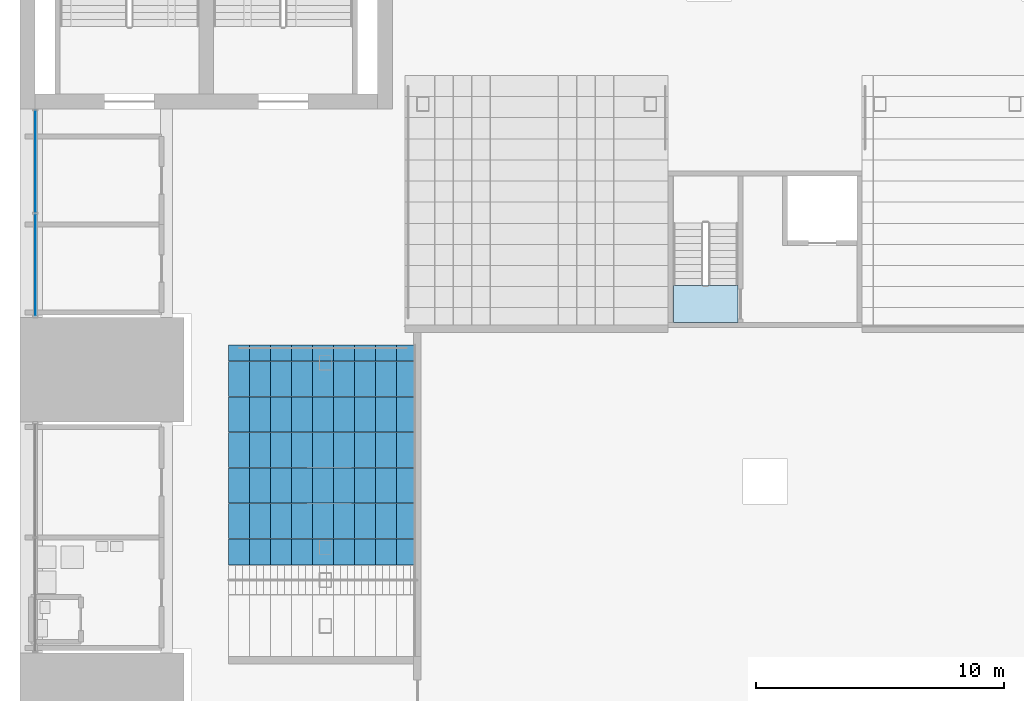
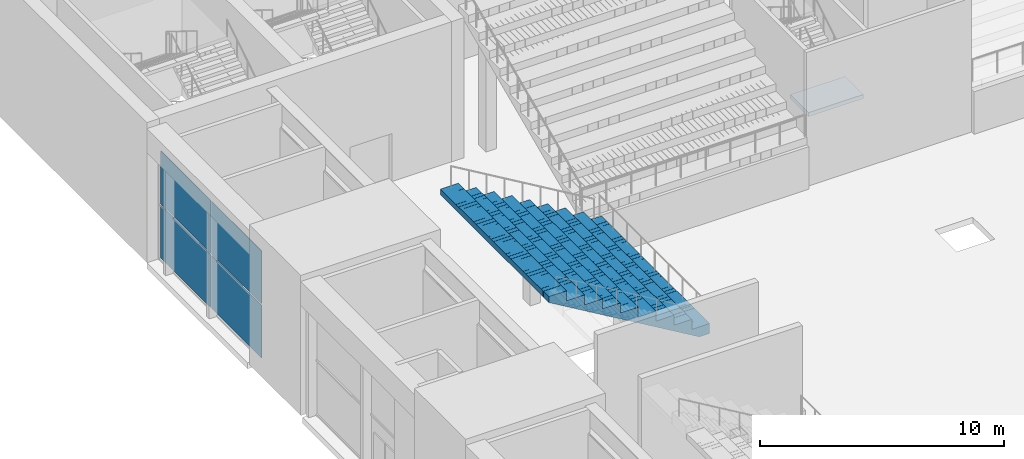
# One storey, part 22 of 62: 4 plates, 2 slabs, 2 elements without a shape of their own.
"""IFC4 building model written with IfcOpenShell, lengths in metres."""

import ifcopenshell
import ifcopenshell.guid

model = None  # the IFC model being written
_history = None  # IfcOwnerHistory: only IFC2X3 demands one
_inside = {}  # id of a spatial element -> (the spatial element, [elements in it])
_under = {}  # id of a project, library or spatial element -> (it, [spatial elements below it])
_declared = {}  # id of a project -> (the project, [libraries it declares])
_typed = {}  # id of a type object -> (the type object, [elements of that type])
_made_of = {}  # id of a material, layer set ... -> (it, [elements and type objects made of it])


def new_model(schema):
    """Start an empty IFC model of exactly this schema.

    Asked for "IFC4X3", IfcOpenShell would pick the latest addendum, in which some entities
    have other attributes; the version numbers below select the first issue.
    IFC2X3 requires an IfcOwnerHistory on every rooted entity: one is made here for all.
    """
    global model, _history
    if schema == "IFC4X3":
        model = ifcopenshell.file(schema_version=(4, 3, 0, 0))
    else:
        model = ifcopenshell.file(schema=schema)
    _inside.clear()
    _under.clear()
    _declared.clear()
    _typed.clear()
    _made_of.clear()
    _history = None
    if model.schema == "IFC2X3":
        org = make("IfcOrganization", Name="unknown")
        user = make(
            "IfcPersonAndOrganization",
            ThePerson=make("IfcPerson", FamilyName="unknown"),
            TheOrganization=org,
        )
        app = make(
            "IfcApplication",
            ApplicationDeveloper=org,
            Version="unknown",
            ApplicationFullName="unknown",
            ApplicationIdentifier="unknown",
        )
        _history = make(
            "IfcOwnerHistory",
            OwningUser=user,
            OwningApplication=app,
            ChangeAction="ADDED",
            CreationDate=0,
        )
    return model


def make(cls, **values):
    """One entity of the class cls with the attributes given. An attribute that is None is left unset."""
    return model.create_entity(
        cls, **{name: value for name, value in values.items() if value is not None}
    )


def rooted(cls, **values):
    """An entity with a GlobalId (a new one), such as an element, a storey or a relation."""
    return make(cls, GlobalId=ifcopenshell.guid.new(), OwnerHistory=_history, **values)


def si_unit(unit_type, name, prefix=None):
    """IfcSIUnit, for example si_unit("LENGTHUNIT", "METRE", prefix="MILLI")."""
    return make("IfcSIUnit", UnitType=unit_type, Prefix=prefix, Name=name)


def assignment(units):
    """IfcUnitAssignment: the units of a project."""
    return None if units is None else make("IfcUnitAssignment", Units=units)


def point(xyz):
    """IfcCartesianPoint."""
    return None if xyz is None else make("IfcCartesianPoint", Coordinates=xyz)


def direction(xyz):
    """IfcDirection."""
    return None if xyz is None else make("IfcDirection", DirectionRatios=xyz)


def frame(location, z_axis=None, x_axis=None):
    """IfcAxis2Placement3D, a coordinate frame: its origin and axes. An axis left out is left unset."""
    return make(
        "IfcAxis2Placement3D",
        Location=point(location),
        Axis=direction(z_axis),
        RefDirection=direction(x_axis),
    )


def frame_2d(location, x_axis=None):
    """IfcAxis2Placement2D, a coordinate frame in the plane: its origin and x axis."""
    return make(
        "IfcAxis2Placement2D", Location=point(location), RefDirection=direction(x_axis)
    )


def origin():
    """The frame at (0, 0, 0) with its axes left unset."""
    return frame((0.0, 0.0, 0.0))


def origin_2d():
    """The frame at (0, 0) in the plane with its x axis left unset."""
    return frame_2d((0.0, 0.0))


def place(relative_to, where):
    """IfcLocalPlacement: puts the frame where relative to a parent placement (None: the world)."""
    return make(
        "IfcLocalPlacement", PlacementRelTo=relative_to, RelativePlacement=where
    )


def context(
    kind, dimensions, precision=None, world=None, true_north=None, identifier=None
):
    """IfcGeometricRepresentationContext, for example the 3D "Model" context."""
    return make(
        "IfcGeometricRepresentationContext",
        ContextIdentifier=identifier,
        ContextType=kind,
        CoordinateSpaceDimension=dimensions,
        Precision=precision,
        WorldCoordinateSystem=world,
        TrueNorth=true_north,
    )


def subcontext(parent, identifier, kind, view, scale=None):
    """IfcGeometricRepresentationSubContext, for example "Body" below "Model"."""
    return make(
        "IfcGeometricRepresentationSubContext",
        ContextIdentifier=identifier,
        ContextType=kind,
        ParentContext=parent,
        TargetScale=scale,
        TargetView=view,
    )


def project(units=None, contexts=None):
    """IfcProject with its units and contexts."""
    return rooted(
        "IfcProject",
        Name="project",
        RepresentationContexts=contexts,
        UnitsInContext=assignment(units),
    )


def spatial(cls, under=None, at=None, **own):
    """A site, building, storey or space (cls), placed at a placement, below another one or the project."""
    s = rooted(cls, ObjectPlacement=at, **own)
    if under is not None:
        _under.setdefault(under.id(), (under, []))[1].append(s)
    return s


def polyline(points):
    """IfcPolyline through the points."""
    return make("IfcPolyline", Points=[point(p) for p in points])


def profile(cls, at=None, kind="AREA", **sizes):
    """A parametric profile (cls). Its sizes go by their IFC names, for example OverallWidth=200.0."""
    return make(cls, ProfileType=kind, Position=at, **sizes)


def rectangle(**sizes):
    """IfcRectangleProfileDef."""
    return profile("IfcRectangleProfileDef", **sizes)


def outline(outer, holes=None, kind="AREA"):
    """IfcArbitraryClosedProfileDef: a profile drawn as a closed curve; with holes, ...WithVoids."""
    if holes is None:
        return make("IfcArbitraryClosedProfileDef", ProfileType=kind, OuterCurve=outer)
    return make(
        "IfcArbitraryProfileDefWithVoids",
        ProfileType=kind,
        OuterCurve=outer,
        InnerCurves=holes,
    )


def extrude(swept, where, along, depth):
    """IfcExtrudedAreaSolid: the profile swept, set in the frame where, extruded along a direction by depth."""
    return make(
        "IfcExtrudedAreaSolid",
        SweptArea=swept,
        Position=where,
        ExtrudedDirection=direction(along),
        Depth=depth,
    )


def shape(context_of_items, identifier, shape_type, items):
    """IfcShapeRepresentation: the items that make up one representation, for example the "Body"."""
    return make(
        "IfcShapeRepresentation",
        ContextOfItems=context_of_items,
        RepresentationIdentifier=identifier,
        RepresentationType=shape_type,
        Items=items,
    )


def material(Name=None, Category=None):
    """IfcMaterial."""
    return make("IfcMaterial", Name=Name, Category=Category)


def layer(
    of_material, thickness, ventilated=None, Name=None, Category=None, Priority=None
):
    """IfcMaterialLayer: one layer of a wall or slab, of a material (None: an air gap)."""
    return make(
        "IfcMaterialLayer",
        Material=of_material,
        LayerThickness=thickness,
        IsVentilated=ventilated,
        Name=Name,
        Category=Category,
        Priority=Priority,
    )


def layer_set(layers, Name=None):
    """IfcMaterialLayerSet."""
    return make("IfcMaterialLayerSet", MaterialLayers=layers, LayerSetName=Name)


def made_of(thing, what):
    """Note that an element or type object is made of a material, layer set ...; save() writes the relation."""
    if what is not None:
        _made_of.setdefault(what.id(), (what, []))[1].append(thing)
    return thing


def type_object(cls, material=None, **own):
    """A type object (cls), such as IfcWallType, which elements share."""
    return made_of(rooted(cls, **own), material)


def element(
    cls,
    number,
    at=None,
    inside=None,
    cuts=None,
    type_object=None,
    material=None,
    context=None,
    identifier="Body",
    shape_type=None,
    held_by="IfcProductDefinitionShape",
    body=None,
    shapes=None,
    **own,
):
    """One element of the class cls, such as IfcWall. Its Tag is "e" and its number.

    at: its placement. inside: the storey or other place that contains it. cuts: it is an
    opening in that element (IfcRelVoidsElement). A single representation is given by context,
    identifier, shape_type and body (its items); several are given by shapes. held_by: the class
    of the entity that holds the representations. save() writes the other relations.
    """
    e = rooted(cls, Tag="e%d" % number, ObjectPlacement=at, **own)
    if body is not None:
        shapes = [shape(context, identifier, shape_type, body)]
    if shapes is not None:
        e.Representation = make(held_by, Representations=shapes)
    if inside is not None:
        _inside.setdefault(inside.id(), (inside, []))[1].append(e)
    if cuts is not None:
        rooted(
            "IfcRelVoidsElement", RelatingBuildingElement=cuts, RelatedOpeningElement=e
        )
    if type_object is not None:
        _typed.setdefault(type_object.id(), (type_object, []))[1].append(e)
    return made_of(e, material)


def aggregate(whole, parts):
    """IfcRelAggregates: a whole, such as a stair, and the parts it consists of."""
    return rooted("IfcRelAggregates", RelatingObject=whole, RelatedObjects=parts)


def save(model, path):
    """Write the relations noted so far, then the file.

    IfcRelAggregates (storeys below a building ...), IfcRelContainedInSpatialStructure (elements
    in a storey), IfcRelDefinesByType, IfcRelAssociatesMaterial and IfcRelDeclares: one each for
    every whole, place, type object, material and project.
    """
    for whole, parts in _under.values():
        aggregate(whole, parts)
    for where, things in _inside.values():
        rooted(
            "IfcRelContainedInSpatialStructure",
            RelatedElements=things,
            RelatingStructure=where,
        )
    for kind, things in _typed.values():
        rooted("IfcRelDefinesByType", RelatedObjects=things, RelatingType=kind)
    for what, things in _made_of.values():
        rooted("IfcRelAssociatesMaterial", RelatedObjects=things, RelatingMaterial=what)
    for by, libraries in _declared.values():
        rooted("IfcRelDeclares", RelatingContext=by, RelatedDefinitions=libraries)
    model.write(path)


model = new_model("IFC4")

# Units and contexts
model_context = context("Model", 3, precision=1e-05, world=origin(), true_north=direction((0.0, 1.0)))
body_context = subcontext(model_context, "Body", "Model", "MODEL_VIEW")
ifc_project = project(units=[si_unit("LENGTHUNIT", "METRE"), si_unit("AREAUNIT", "SQUARE_METRE"), si_unit("VOLUMEUNIT", "CUBIC_METRE"), si_unit("PLANEANGLEUNIT", "RADIAN"), si_unit("MASSUNIT", "GRAM", prefix="KILO")], contexts=[model_context])

# Site, building, storey
site_placement = place(None, origin())
site = spatial("IfcSite", under=ifc_project, at=site_placement, CompositionType="ELEMENT")
building_placement = place(site_placement, origin())
building = spatial("IfcBuilding", under=site, at=building_placement, Name="Corbelhall Arena Tower", CompositionType="ELEMENT")
storey_placement = place(building_placement, frame((0.0, 0.0, 12.0)))
storey = spatial("IfcBuildingStorey", under=building, at=storey_placement, Name="L01", CompositionType="ELEMENT", Elevation=12.0)

# Slab
ifc_material_1 = material(Name="Precast concrete C40/50", Category="concrete")
ifc_layer_1 = layer(ifc_material_1, 0.25)
ifc_layer_set_1 = layer_set([ifc_layer_1], Name="AR-TIER-RAKED")
slab_type_1 = type_object("IfcSlabType", Name="AR-TIER-RAKED", PredefinedType="FLOOR", material=ifc_layer_set_1)
slab_1_placement = place(storey_placement, frame((-32.0, 10.066650390625, 2.0), z_axis=(0.0, 0.0, 1.0), x_axis=(-1.0, 0.0, 0.0)))
element("IfcSlab", 1, at=slab_1_placement, inside=storey, type_object=slab_type_1, Name="Tier section LWA", PredefinedType="FLOOR", context=body_context, shape_type="SweptSolid", body=[
    extrude(outline(polyline([(0.0, 0.0), (0.0, 0.5), (0.844970703125, 0.5), (0.844970703125, 1.0), (1.68994140625, 1.0), (1.68994140625, 1.5), (2.534912109375, 1.5), (2.534912109375, 2.0), (3.3798828125, 2.0), (3.3798828125, 2.5), (4.22509765625, 2.5), (4.22509765625, 3.0), (5.070068359375, 3.0), (5.070068359375, 3.5), (5.9150390625, 3.5), (5.9150390625, 4.0), (6.760009765625, 4.0), (6.760009765625, 4.5), (7.60498046875, 4.5), (7.60498046875, 5.0), (7.60498046875, 4.20947265625), (0.490966796875, 0.0), (0.0, 0.0)])), frame((0.0, 4.433349609375, 0.0), z_axis=(0.0, -1.0, 0.0), x_axis=(1.0, 0.0, 0.0)), (0.0, 0.0, 1.0), 0.449951171875),
    extrude(outline(polyline([(0.0, 0.0), (0.0, 0.5), (0.844970703125, 0.5), (0.844970703125, 1.0), (1.68994140625, 1.0), (1.68994140625, 1.5), (2.534912109375, 1.5), (2.534912109375, 2.0), (3.3798828125, 2.0), (3.3798828125, 2.5), (4.22509765625, 2.5), (4.22509765625, 3.0), (5.070068359375, 3.0), (5.070068359375, 3.5), (5.9150390625, 3.5), (5.9150390625, 4.0), (6.760009765625, 4.0), (6.760009765625, 4.5), (7.60498046875, 4.5), (7.60498046875, 5.0), (7.60498046875, 4.20947265625), (0.490966796875, 0.0), (0.0, 0.0)])), frame((0.0, 3.979248046875, 0.0), z_axis=(0.0, -1.0, 0.0), x_axis=(1.0, 0.0, 0.0)), (0.0, 0.0, 1.0), 0.2001953125),
    extrude(outline(polyline([(0.0, 0.0), (0.0, 0.5), (0.844970703125, 0.5), (0.844970703125, 1.0), (1.68994140625, 1.0), (1.68994140625, 1.5), (2.534912109375, 1.5), (2.534912109375, 2.0), (3.3798828125, 2.0), (3.3798828125, 2.5), (4.22509765625, 2.5), (4.22509765625, 3.0), (5.070068359375, 3.0), (5.070068359375, 3.5), (5.9150390625, 3.5), (5.9150390625, 4.0), (6.760009765625, 4.0), (6.760009765625, 4.5), (7.60498046875, 4.5), (7.60498046875, 5.0), (7.60498046875, 4.20947265625), (0.490966796875, 0.0), (0.0, 0.0)])), frame((0.0, 3.775146484375, 0.0), z_axis=(0.0, -1.0, 0.0), x_axis=(1.0, 0.0, 0.0)), (0.0, 0.0, 1.0), 0.2001953125),
    extrude(outline(polyline([(0.0, 0.0), (0.0, 0.5), (0.844970703125, 0.5), (0.844970703125, 1.0), (1.68994140625, 1.0), (1.68994140625, 1.5), (2.534912109375, 1.5), (2.534912109375, 2.0), (3.3798828125, 2.0), (3.3798828125, 2.5), (4.22509765625, 2.5), (4.22509765625, 3.0), (5.070068359375, 3.0), (5.070068359375, 3.5), (5.9150390625, 3.5), (5.9150390625, 4.0), (6.760009765625, 4.0), (6.760009765625, 4.5), (7.60498046875, 4.5), (7.60498046875, 5.0), (7.60498046875, 4.20947265625), (0.490966796875, 0.0), (0.0, 0.0)])), frame((0.0, 3.571044921875, 0.0), z_axis=(0.0, -1.0, 0.0), x_axis=(1.0, 0.0, 0.0)), (0.0, 0.0, 1.0), 0.2001953125),
    extrude(outline(polyline([(0.0, 0.0), (0.0, 0.5), (0.844970703125, 0.5), (0.844970703125, 1.0), (1.68994140625, 1.0), (1.68994140625, 1.5), (2.534912109375, 1.5), (2.534912109375, 2.0), (3.3798828125, 2.0), (3.3798828125, 2.5), (4.22509765625, 2.5), (4.22509765625, 3.0), (5.070068359375, 3.0), (5.070068359375, 3.5), (5.9150390625, 3.5), (5.9150390625, 4.0), (6.760009765625, 4.0), (6.760009765625, 4.5), (7.60498046875, 4.5), (7.60498046875, 5.0), (7.60498046875, 4.20947265625), (0.490966796875, 0.0), (0.0, 0.0)])), frame((0.0, 3.366943359375, 0.0), z_axis=(0.0, -1.0, 0.0), x_axis=(1.0, 0.0, 0.0)), (0.0, 0.0, 1.0), 0.2001953125),
    extrude(outline(polyline([(0.0, 0.0), (0.0, 0.5), (0.844970703125, 0.5), (0.844970703125, 1.0), (1.68994140625, 1.0), (1.68994140625, 1.5), (2.534912109375, 1.5), (2.534912109375, 2.0), (3.3798828125, 2.0), (3.3798828125, 2.5), (4.22509765625, 2.5), (4.22509765625, 3.0), (5.070068359375, 3.0), (5.070068359375, 3.5), (5.9150390625, 3.5), (5.9150390625, 4.0), (6.760009765625, 4.0), (6.760009765625, 4.5), (7.60498046875, 4.5), (7.60498046875, 5.0), (7.60498046875, 4.20947265625), (0.490966796875, 0.0), (0.0, 0.0)])), frame((0.0, 3.16259765625, 0.0), z_axis=(0.0, -1.0, 0.0), x_axis=(1.0, 0.0, 0.0)), (0.0, 0.0, 1.0), 0.2001953125),
    extrude(outline(polyline([(0.0, 0.0), (0.0, 0.5), (0.844970703125, 0.5), (0.844970703125, 1.0), (1.68994140625, 1.0), (1.68994140625, 1.5), (2.534912109375, 1.5), (2.534912109375, 2.0), (3.3798828125, 2.0), (3.3798828125, 2.5), (4.22509765625, 2.5), (4.22509765625, 3.0), (5.070068359375, 3.0), (5.070068359375, 3.5), (5.9150390625, 3.5), (5.9150390625, 4.0), (6.760009765625, 4.0), (6.760009765625, 4.5), (7.60498046875, 4.5), (7.60498046875, 5.0), (7.60498046875, 4.20947265625), (0.490966796875, 0.0), (0.0, 0.0)])), frame((0.0, 2.95849609375, 0.0), z_axis=(0.0, -1.0, 0.0), x_axis=(1.0, 0.0, 0.0)), (0.0, 0.0, 1.0), 0.2001953125),
    extrude(outline(polyline([(0.0, 0.0), (0.0, 0.5), (0.844970703125, 0.5), (0.844970703125, 1.0), (1.68994140625, 1.0), (1.68994140625, 1.5), (2.534912109375, 1.5), (2.534912109375, 2.0), (3.3798828125, 2.0), (3.3798828125, 2.5), (4.22509765625, 2.5), (4.22509765625, 3.0), (5.070068359375, 3.0), (5.070068359375, 3.5), (5.9150390625, 3.5), (5.9150390625, 4.0), (6.760009765625, 4.0), (6.760009765625, 4.5), (7.60498046875, 4.5), (7.60498046875, 5.0), (7.60498046875, 4.20947265625), (0.490966796875, 0.0), (0.0, 0.0)])), frame((0.0, 2.75439453125, 0.0), z_axis=(0.0, -1.0, 0.0), x_axis=(1.0, 0.0, 0.0)), (0.0, 0.0, 1.0), 0.2001953125),
    extrude(outline(polyline([(0.0, 0.0), (0.0, 0.5), (0.844970703125, 0.5), (0.844970703125, 1.0), (1.68994140625, 1.0), (1.68994140625, 1.5), (2.534912109375, 1.5), (2.534912109375, 2.0), (3.3798828125, 2.0), (3.3798828125, 2.5), (4.22509765625, 2.5), (4.22509765625, 3.0), (5.070068359375, 3.0), (5.070068359375, 3.5), (5.9150390625, 3.5), (5.9150390625, 4.0), (6.760009765625, 4.0), (6.760009765625, 4.5), (7.60498046875, 4.5), (7.60498046875, 5.0), (7.60498046875, 4.20947265625), (0.490966796875, 0.0), (0.0, 0.0)])), frame((0.0, 2.550048828125, 0.0), z_axis=(0.0, -1.0, 0.0), x_axis=(1.0, 0.0, 0.0)), (0.0, 0.0, 1.0), 0.2001953125),
    extrude(outline(polyline([(0.0, 0.0), (0.0, 0.5), (0.844970703125, 0.5), (0.844970703125, 1.0), (1.68994140625, 1.0), (1.68994140625, 1.5), (2.534912109375, 1.5), (2.534912109375, 2.0), (3.3798828125, 2.0), (3.3798828125, 2.5), (4.22509765625, 2.5), (4.22509765625, 3.0), (5.070068359375, 3.0), (5.070068359375, 3.5), (5.9150390625, 3.5), (5.9150390625, 4.0), (6.760009765625, 4.0), (6.760009765625, 4.5), (7.60498046875, 4.5), (7.60498046875, 5.0), (7.60498046875, 4.20947265625), (0.490966796875, 0.0), (0.0, 0.0)])), frame((0.0, 2.345947265625, 0.0), z_axis=(0.0, -1.0, 0.0), x_axis=(1.0, 0.0, 0.0)), (0.0, 0.0, 1.0), 0.2001953125),
    extrude(outline(polyline([(0.0, 0.0), (0.0, 0.5), (0.844970703125, 0.5), (0.844970703125, 1.0), (1.68994140625, 1.0), (1.68994140625, 1.5), (2.534912109375, 1.5), (2.534912109375, 2.0), (3.3798828125, 2.0), (3.3798828125, 2.5), (4.22509765625, 2.5), (4.22509765625, 3.0), (5.070068359375, 3.0), (5.070068359375, 3.5), (5.9150390625, 3.5), (5.9150390625, 4.0), (6.760009765625, 4.0), (6.760009765625, 4.5), (7.60498046875, 4.5), (7.60498046875, 5.0), (7.60498046875, 4.20947265625), (0.490966796875, 0.0), (0.0, 0.0)])), frame((0.0, 2.141845703125, 0.0), z_axis=(0.0, -1.0, 0.0), x_axis=(1.0, 0.0, 0.0)), (0.0, 0.0, 1.0), 0.2001953125),
    extrude(outline(polyline([(0.0, 0.0), (0.0, 0.5), (0.844970703125, 0.5), (0.844970703125, 1.0), (1.68994140625, 1.0), (1.68994140625, 1.5), (2.534912109375, 1.5), (2.534912109375, 2.0), (3.3798828125, 2.0), (3.3798828125, 2.5), (4.22509765625, 2.5), (4.22509765625, 3.0), (5.070068359375, 3.0), (5.070068359375, 3.5), (5.9150390625, 3.5), (5.9150390625, 4.0), (6.760009765625, 4.0), (6.760009765625, 4.5), (7.60498046875, 4.5), (7.60498046875, 5.0), (7.60498046875, 4.20947265625), (0.490966796875, 0.0), (0.0, 0.0)])), frame((0.0, 1.937744140625, 0.0), z_axis=(0.0, -1.0, 0.0), x_axis=(1.0, 0.0, 0.0)), (0.0, 0.0, 1.0), 0.2001953125),
    extrude(outline(polyline([(0.0, 0.0), (0.0, 0.5), (0.844970703125, 0.5), (0.844970703125, 1.0), (1.68994140625, 1.0), (1.68994140625, 1.5), (2.534912109375, 1.5), (2.534912109375, 2.0), (3.3798828125, 2.0), (3.3798828125, 2.5), (4.22509765625, 2.5), (4.22509765625, 3.0), (5.070068359375, 3.0), (5.070068359375, 3.5), (5.9150390625, 3.5), (5.9150390625, 4.0), (6.760009765625, 4.0), (6.760009765625, 4.5), (7.60498046875, 4.5), (7.60498046875, 5.0), (7.60498046875, 4.20947265625), (0.490966796875, 0.0), (0.0, 0.0)])), frame((0.0, 1.7333984375, 0.0), z_axis=(0.0, -1.0, 0.0), x_axis=(1.0, 0.0, 0.0)), (0.0, 0.0, 1.0), 0.2001953125),
    extrude(outline(polyline([(0.0, 0.0), (0.0, 0.5), (0.844970703125, 0.5), (0.844970703125, 1.0), (1.68994140625, 1.0), (1.68994140625, 1.5), (2.534912109375, 1.5), (2.534912109375, 2.0), (3.3798828125, 2.0), (3.3798828125, 2.5), (4.22509765625, 2.5), (4.22509765625, 3.0), (5.070068359375, 3.0), (5.070068359375, 3.5), (5.9150390625, 3.5), (5.9150390625, 4.0), (6.760009765625, 4.0), (6.760009765625, 4.5), (7.60498046875, 4.5), (7.60498046875, 5.0), (7.60498046875, 4.20947265625), (0.490966796875, 0.0), (0.0, 0.0)])), frame((0.0, 1.529296875, 0.0), z_axis=(0.0, -1.0, 0.0), x_axis=(1.0, 0.0, 0.0)), (0.0, 0.0, 1.0), 0.2001953125),
    extrude(outline(polyline([(0.0, 0.0), (0.0, 0.5), (0.844970703125, 0.5), (0.844970703125, 1.0), (1.68994140625, 1.0), (1.68994140625, 1.5), (2.534912109375, 1.5), (2.534912109375, 2.0), (3.3798828125, 2.0), (3.3798828125, 2.5), (4.22509765625, 2.5), (4.22509765625, 3.0), (5.070068359375, 3.0), (5.070068359375, 3.5), (5.9150390625, 3.5), (5.9150390625, 4.0), (6.760009765625, 4.0), (6.760009765625, 4.5), (7.60498046875, 4.5), (7.60498046875, 5.0), (7.60498046875, 4.20947265625), (0.490966796875, 0.0), (0.0, 0.0)])), frame((0.0, 1.3251953125, 0.0), z_axis=(0.0, -1.0, 0.0), x_axis=(1.0, 0.0, 0.0)), (0.0, 0.0, 1.0), 0.2001953125),
    extrude(outline(polyline([(0.0, 0.0), (0.0, 0.5), (0.844970703125, 0.5), (0.844970703125, 1.0), (1.68994140625, 1.0), (1.68994140625, 1.5), (2.534912109375, 1.5), (2.534912109375, 2.0), (3.3798828125, 2.0), (3.3798828125, 2.5), (4.22509765625, 2.5), (4.22509765625, 3.0), (5.070068359375, 3.0), (5.070068359375, 3.5), (5.9150390625, 3.5), (5.9150390625, 4.0), (6.760009765625, 4.0), (6.760009765625, 4.5), (7.60498046875, 4.5), (7.60498046875, 5.0), (7.60498046875, 4.20947265625), (0.490966796875, 0.0), (0.0, 0.0)])), frame((0.0, 1.120849609375, 0.0), z_axis=(0.0, -1.0, 0.0), x_axis=(1.0, 0.0, 0.0)), (0.0, 0.0, 1.0), 0.2001953125),
    extrude(outline(polyline([(0.0, 0.0), (0.0, 0.5), (0.844970703125, 0.5), (0.844970703125, 1.0), (1.68994140625, 1.0), (1.68994140625, 1.5), (2.534912109375, 1.5), (2.534912109375, 2.0), (3.3798828125, 2.0), (3.3798828125, 2.5), (4.22509765625, 2.5), (4.22509765625, 3.0), (5.070068359375, 3.0), (5.070068359375, 3.5), (5.9150390625, 3.5), (5.9150390625, 4.0), (6.760009765625, 4.0), (6.760009765625, 4.5), (7.60498046875, 4.5), (7.60498046875, 5.0), (7.60498046875, 4.20947265625), (0.490966796875, 0.0), (0.0, 0.0)])), frame((0.0, 0.916748046875, 0.0), z_axis=(0.0, -1.0, 0.0), x_axis=(1.0, 0.0, 0.0)), (0.0, 0.0, 1.0), 0.2001953125),
    extrude(outline(polyline([(0.0, 0.0), (0.0, 0.5), (0.844970703125, 0.5), (0.844970703125, 1.0), (1.68994140625, 1.0), (1.68994140625, 1.5), (2.534912109375, 1.5), (2.534912109375, 2.0), (3.3798828125, 2.0), (3.3798828125, 2.5), (4.22509765625, 2.5), (4.22509765625, 3.0), (5.070068359375, 3.0), (5.070068359375, 3.5), (5.9150390625, 3.5), (5.9150390625, 4.0), (6.760009765625, 4.0), (6.760009765625, 4.5), (7.60498046875, 4.5), (7.60498046875, 5.0), (7.60498046875, 4.20947265625), (0.490966796875, 0.0), (0.0, 0.0)])), frame((0.0, 0.712646484375, 0.0), z_axis=(0.0, -1.0, 0.0), x_axis=(1.0, 0.0, 0.0)), (0.0, 0.0, 1.0), 0.2001953125),
    extrude(outline(polyline([(0.0, 0.0), (0.0, 0.5), (0.844970703125, 0.5), (0.844970703125, 1.0), (1.68994140625, 1.0), (1.68994140625, 1.5), (2.534912109375, 1.5), (2.534912109375, 2.0), (3.3798828125, 2.0), (3.3798828125, 2.5), (4.22509765625, 2.5), (4.22509765625, 3.0), (5.070068359375, 3.0), (5.070068359375, 3.5), (5.9150390625, 3.5), (5.9150390625, 4.0), (6.760009765625, 4.0), (6.760009765625, 4.5), (7.60498046875, 4.5), (7.60498046875, 5.0), (7.60498046875, 4.20947265625), (0.490966796875, 0.0), (0.0, 0.0)])), frame((0.0, 0.508544921875, 0.0), z_axis=(0.0, -1.0, 0.0), x_axis=(1.0, 0.0, 0.0)), (0.0, 0.0, 1.0), 0.2001953125),
    extrude(outline(polyline([(0.0, 0.0), (0.0, 0.5), (0.844970703125, 0.5), (0.844970703125, 1.0), (1.68994140625, 1.0), (1.68994140625, 1.5), (2.534912109375, 1.5), (2.534912109375, 2.0), (3.3798828125, 2.0), (3.3798828125, 2.5), (4.22509765625, 2.5), (4.22509765625, 3.0), (5.070068359375, 3.0), (5.070068359375, 3.5), (5.9150390625, 3.5), (5.9150390625, 4.0), (6.760009765625, 4.0), (6.760009765625, 4.5), (7.60498046875, 4.5), (7.60498046875, 5.0), (7.60498046875, 4.20947265625), (0.490966796875, 0.0), (0.0, 0.0)])), frame((0.0, 0.30419921875, 0.0), z_axis=(0.0, -1.0, 0.0), x_axis=(1.0, 0.0, 0.0)), (0.0, 0.0, 1.0), 0.2001953125),
    extrude(outline(polyline([(0.0, 0.0), (0.0, 0.5), (0.844970703125, 0.5), (0.844970703125, 1.0), (1.68994140625, 1.0), (1.68994140625, 1.5), (2.534912109375, 1.5), (2.534912109375, 2.0), (3.3798828125, 2.0), (3.3798828125, 2.5), (4.22509765625, 2.5), (4.22509765625, 3.0), (5.070068359375, 3.0), (5.070068359375, 3.5), (5.9150390625, 3.5), (5.9150390625, 4.0), (6.760009765625, 4.0), (6.760009765625, 4.5), (7.60498046875, 4.5), (7.60498046875, 5.0), (7.60498046875, 4.20947265625), (0.490966796875, 0.0), (0.0, 0.0)])), frame((0.0, 0.10009765625, 0.0), z_axis=(0.0, -1.0, 0.0), x_axis=(1.0, 0.0, 0.0)), (0.0, 0.0, 1.0), 0.2001953125),
    extrude(outline(polyline([(0.0, 0.0), (0.0, 0.5), (0.844970703125, 0.5), (0.844970703125, 1.0), (1.68994140625, 1.0), (1.68994140625, 1.5), (2.534912109375, 1.5), (2.534912109375, 2.0), (3.3798828125, 2.0), (3.3798828125, 2.5), (4.22509765625, 2.5), (4.22509765625, 3.0), (5.070068359375, 3.0), (5.070068359375, 3.5), (5.9150390625, 3.5), (5.9150390625, 4.0), (6.760009765625, 4.0), (6.760009765625, 4.5), (7.60498046875, 4.5), (7.60498046875, 5.0), (7.60498046875, 4.20947265625), (0.490966796875, 0.0), (0.0, 0.0)])), frame((0.0, -0.10400390625, 0.0), z_axis=(0.0, -1.0, 0.0), x_axis=(1.0, 0.0, 0.0)), (0.0, 0.0, 1.0), 0.2001953125),
    extrude(outline(polyline([(0.0, 0.0), (0.0, 0.5), (0.844970703125, 0.5), (0.844970703125, 1.0), (1.68994140625, 1.0), (1.68994140625, 1.5), (2.534912109375, 1.5), (2.534912109375, 2.0), (3.3798828125, 2.0), (3.3798828125, 2.5), (4.22509765625, 2.5), (4.22509765625, 3.0), (5.070068359375, 3.0), (5.070068359375, 3.5), (5.9150390625, 3.5), (5.9150390625, 4.0), (6.760009765625, 4.0), (6.760009765625, 4.5), (7.60498046875, 4.5), (7.60498046875, 5.0), (7.60498046875, 4.20947265625), (0.490966796875, 0.0), (0.0, 0.0)])), frame((0.0, -0.308349609375, 0.0), z_axis=(0.0, -1.0, 0.0), x_axis=(1.0, 0.0, 0.0)), (0.0, 0.0, 1.0), 0.2001953125),
    extrude(outline(polyline([(0.0, 0.0), (0.0, 0.5), (0.844970703125, 0.5), (0.844970703125, 1.0), (1.68994140625, 1.0), (1.68994140625, 1.5), (2.534912109375, 1.5), (2.534912109375, 2.0), (3.3798828125, 2.0), (3.3798828125, 2.5), (4.22509765625, 2.5), (4.22509765625, 3.0), (5.070068359375, 3.0), (5.070068359375, 3.5), (5.9150390625, 3.5), (5.9150390625, 4.0), (6.760009765625, 4.0), (6.760009765625, 4.5), (7.60498046875, 4.5), (7.60498046875, 5.0), (7.60498046875, 4.20947265625), (0.490966796875, 0.0), (0.0, 0.0)])), frame((0.0, -0.512451171875, 0.0), z_axis=(0.0, -1.0, 0.0), x_axis=(1.0, 0.0, 0.0)), (0.0, 0.0, 1.0), 0.2001953125),
    extrude(outline(polyline([(0.0, 0.0), (0.0, 0.5), (0.844970703125, 0.5), (0.844970703125, 1.0), (1.68994140625, 1.0), (1.68994140625, 1.5), (2.534912109375, 1.5), (2.534912109375, 2.0), (3.3798828125, 2.0), (3.3798828125, 2.5), (4.22509765625, 2.5), (4.22509765625, 3.0), (5.070068359375, 3.0), (5.070068359375, 3.5), (5.9150390625, 3.5), (5.9150390625, 4.0), (6.760009765625, 4.0), (6.760009765625, 4.5), (7.60498046875, 4.5), (7.60498046875, 5.0), (7.60498046875, 4.20947265625), (0.490966796875, 0.0), (0.0, 0.0)])), frame((0.0, -0.716552734375, 0.0), z_axis=(0.0, -1.0, 0.0), x_axis=(1.0, 0.0, 0.0)), (0.0, 0.0, 1.0), 0.2001953125),
    extrude(outline(polyline([(0.0, 0.0), (0.0, 0.5), (0.844970703125, 0.5), (0.844970703125, 1.0), (1.68994140625, 1.0), (1.68994140625, 1.5), (2.534912109375, 1.5), (2.534912109375, 2.0), (3.3798828125, 2.0), (3.3798828125, 2.5), (4.22509765625, 2.5), (4.22509765625, 3.0), (5.070068359375, 3.0), (5.070068359375, 3.5), (5.9150390625, 3.5), (5.9150390625, 4.0), (6.760009765625, 4.0), (6.760009765625, 4.5), (7.60498046875, 4.5), (7.60498046875, 5.0), (7.60498046875, 4.20947265625), (0.490966796875, 0.0), (0.0, 0.0)])), frame((0.0, -0.920654296875, 0.0), z_axis=(0.0, -1.0, 0.0), x_axis=(1.0, 0.0, 0.0)), (0.0, 0.0, 1.0), 0.2001953125),
    extrude(outline(polyline([(0.0, 0.0), (0.0, 0.5), (0.844970703125, 0.5), (0.844970703125, 1.0), (1.68994140625, 1.0), (1.68994140625, 1.5), (2.534912109375, 1.5), (2.534912109375, 2.0), (3.3798828125, 2.0), (3.3798828125, 2.5), (4.22509765625, 2.5), (4.22509765625, 3.0), (5.070068359375, 3.0), (5.070068359375, 3.5), (5.9150390625, 3.5), (5.9150390625, 4.0), (6.760009765625, 4.0), (6.760009765625, 4.5), (7.60498046875, 4.5), (7.60498046875, 5.0), (7.60498046875, 4.20947265625), (0.490966796875, 0.0), (0.0, 0.0)])), frame((0.0, -1.125, 0.0), z_axis=(0.0, -1.0, 0.0), x_axis=(1.0, 0.0, 0.0)), (0.0, 0.0, 1.0), 0.2001953125),
    extrude(outline(polyline([(0.0, 0.0), (0.0, 0.5), (0.844970703125, 0.5), (0.844970703125, 1.0), (1.68994140625, 1.0), (1.68994140625, 1.5), (2.534912109375, 1.5), (2.534912109375, 2.0), (3.3798828125, 2.0), (3.3798828125, 2.5), (4.22509765625, 2.5), (4.22509765625, 3.0), (5.070068359375, 3.0), (5.070068359375, 3.5), (5.9150390625, 3.5), (5.9150390625, 4.0), (6.760009765625, 4.0), (6.760009765625, 4.5), (7.60498046875, 4.5), (7.60498046875, 5.0), (7.60498046875, 4.20947265625), (0.490966796875, 0.0), (0.0, 0.0)])), frame((0.0, -1.3291015625, 0.0), z_axis=(0.0, -1.0, 0.0), x_axis=(1.0, 0.0, 0.0)), (0.0, 0.0, 1.0), 0.2001953125),
    extrude(outline(polyline([(0.0, 0.0), (0.0, 0.5), (0.844970703125, 0.5), (0.844970703125, 1.0), (1.68994140625, 1.0), (1.68994140625, 1.5), (2.534912109375, 1.5), (2.534912109375, 2.0), (3.3798828125, 2.0), (3.3798828125, 2.5), (4.22509765625, 2.5), (4.22509765625, 3.0), (5.070068359375, 3.0), (5.070068359375, 3.5), (5.9150390625, 3.5), (5.9150390625, 4.0), (6.760009765625, 4.0), (6.760009765625, 4.5), (7.60498046875, 4.5), (7.60498046875, 5.0), (7.60498046875, 4.20947265625), (0.490966796875, 0.0), (0.0, 0.0)])), frame((0.0, -1.533203125, 0.0), z_axis=(0.0, -1.0, 0.0), x_axis=(1.0, 0.0, 0.0)), (0.0, 0.0, 1.0), 0.2001953125),
    extrude(outline(polyline([(0.0, 0.0), (0.0, 0.5), (0.844970703125, 0.5), (0.844970703125, 1.0), (1.68994140625, 1.0), (1.68994140625, 1.5), (2.534912109375, 1.5), (2.534912109375, 2.0), (3.3798828125, 2.0), (3.3798828125, 2.5), (4.22509765625, 2.5), (4.22509765625, 3.0), (5.070068359375, 3.0), (5.070068359375, 3.5), (5.9150390625, 3.5), (5.9150390625, 4.0), (6.760009765625, 4.0), (6.760009765625, 4.5), (7.60498046875, 4.5), (7.60498046875, 5.0), (7.60498046875, 4.20947265625), (0.490966796875, 0.0), (0.0, 0.0)])), frame((0.0, -1.737548828125, 0.0), z_axis=(0.0, -1.0, 0.0), x_axis=(1.0, 0.0, 0.0)), (0.0, 0.0, 1.0), 0.2001953125),
    extrude(outline(polyline([(0.0, 0.0), (0.0, 0.5), (0.844970703125, 0.5), (0.844970703125, 1.0), (1.68994140625, 1.0), (1.68994140625, 1.5), (2.534912109375, 1.5), (2.534912109375, 2.0), (3.3798828125, 2.0), (3.3798828125, 2.5), (4.22509765625, 2.5), (4.22509765625, 3.0), (5.070068359375, 3.0), (5.070068359375, 3.5), (5.9150390625, 3.5), (5.9150390625, 4.0), (6.760009765625, 4.0), (6.760009765625, 4.5), (7.60498046875, 4.5), (7.60498046875, 5.0), (7.60498046875, 4.20947265625), (0.490966796875, 0.0), (0.0, 0.0)])), frame((0.0, -1.941650390625, 0.0), z_axis=(0.0, -1.0, 0.0), x_axis=(1.0, 0.0, 0.0)), (0.0, 0.0, 1.0), 0.2001953125),
    extrude(outline(polyline([(0.0, 0.0), (0.0, 0.5), (0.844970703125, 0.5), (0.844970703125, 1.0), (1.68994140625, 1.0), (1.68994140625, 1.5), (2.534912109375, 1.5), (2.534912109375, 2.0), (3.3798828125, 2.0), (3.3798828125, 2.5), (4.22509765625, 2.5), (4.22509765625, 3.0), (5.070068359375, 3.0), (5.070068359375, 3.5), (5.9150390625, 3.5), (5.9150390625, 4.0), (6.760009765625, 4.0), (6.760009765625, 4.5), (7.60498046875, 4.5), (7.60498046875, 5.0), (7.60498046875, 4.20947265625), (0.490966796875, 0.0), (0.0, 0.0)])), frame((0.0, -2.145751953125, 0.0), z_axis=(0.0, -1.0, 0.0), x_axis=(1.0, 0.0, 0.0)), (0.0, 0.0, 1.0), 0.2001953125),
    extrude(outline(polyline([(0.0, 0.0), (0.0, 0.5), (0.844970703125, 0.5), (0.844970703125, 1.0), (1.68994140625, 1.0), (1.68994140625, 1.5), (2.534912109375, 1.5), (2.534912109375, 2.0), (3.3798828125, 2.0), (3.3798828125, 2.5), (4.22509765625, 2.5), (4.22509765625, 3.0), (5.070068359375, 3.0), (5.070068359375, 3.5), (5.9150390625, 3.5), (5.9150390625, 4.0), (6.760009765625, 4.0), (6.760009765625, 4.5), (7.60498046875, 4.5), (7.60498046875, 5.0), (7.60498046875, 4.20947265625), (0.490966796875, 0.0), (0.0, 0.0)])), frame((0.0, -2.349853515625, 0.0), z_axis=(0.0, -1.0, 0.0), x_axis=(1.0, 0.0, 0.0)), (0.0, 0.0, 1.0), 0.2001953125),
    extrude(outline(polyline([(0.0, 0.0), (0.0, 0.5), (0.844970703125, 0.5), (0.844970703125, 1.0), (1.68994140625, 1.0), (1.68994140625, 1.5), (2.534912109375, 1.5), (2.534912109375, 2.0), (3.3798828125, 2.0), (3.3798828125, 2.5), (4.22509765625, 2.5), (4.22509765625, 3.0), (5.070068359375, 3.0), (5.070068359375, 3.5), (5.9150390625, 3.5), (5.9150390625, 4.0), (6.760009765625, 4.0), (6.760009765625, 4.5), (7.60498046875, 4.5), (7.60498046875, 5.0), (7.60498046875, 4.20947265625), (0.490966796875, 0.0), (0.0, 0.0)])), frame((0.0, -2.55419921875, 0.0), z_axis=(0.0, -1.0, 0.0), x_axis=(1.0, 0.0, 0.0)), (0.0, 0.0, 1.0), 0.2001953125),
    extrude(outline(polyline([(0.0, 0.0), (0.0, 0.5), (0.844970703125, 0.5), (0.844970703125, 1.0), (1.68994140625, 1.0), (1.68994140625, 1.5), (2.534912109375, 1.5), (2.534912109375, 2.0), (3.3798828125, 2.0), (3.3798828125, 2.5), (4.22509765625, 2.5), (4.22509765625, 3.0), (5.070068359375, 3.0), (5.070068359375, 3.5), (5.9150390625, 3.5), (5.9150390625, 4.0), (6.760009765625, 4.0), (6.760009765625, 4.5), (7.60498046875, 4.5), (7.60498046875, 5.0), (7.60498046875, 4.20947265625), (0.490966796875, 0.0), (0.0, 0.0)])), frame((0.0, -2.75830078125, 0.0), z_axis=(0.0, -1.0, 0.0), x_axis=(1.0, 0.0, 0.0)), (0.0, 0.0, 1.0), 0.2001953125),
    extrude(outline(polyline([(0.0, 0.0), (0.0, 0.5), (0.844970703125, 0.5), (0.844970703125, 1.0), (1.68994140625, 1.0), (1.68994140625, 1.5), (2.534912109375, 1.5), (2.534912109375, 2.0), (3.3798828125, 2.0), (3.3798828125, 2.5), (4.22509765625, 2.5), (4.22509765625, 3.0), (5.070068359375, 3.0), (5.070068359375, 3.5), (5.9150390625, 3.5), (5.9150390625, 4.0), (6.760009765625, 4.0), (6.760009765625, 4.5), (7.60498046875, 4.5), (7.60498046875, 5.0), (7.60498046875, 4.20947265625), (0.490966796875, 0.0), (0.0, 0.0)])), frame((0.0, -2.96240234375, 0.0), z_axis=(0.0, -1.0, 0.0), x_axis=(1.0, 0.0, 0.0)), (0.0, 0.0, 1.0), 0.2001953125),
    extrude(outline(polyline([(0.0, 0.0), (0.0, 0.5), (0.844970703125, 0.5), (0.844970703125, 1.0), (1.68994140625, 1.0), (1.68994140625, 1.5), (2.534912109375, 1.5), (2.534912109375, 2.0), (3.3798828125, 2.0), (3.3798828125, 2.5), (4.22509765625, 2.5), (4.22509765625, 3.0), (5.070068359375, 3.0), (5.070068359375, 3.5), (5.9150390625, 3.5), (5.9150390625, 4.0), (6.760009765625, 4.0), (6.760009765625, 4.5), (7.60498046875, 4.5), (7.60498046875, 5.0), (7.60498046875, 4.20947265625), (0.490966796875, 0.0), (0.0, 0.0)])), frame((0.0, -3.166748046875, 0.0), z_axis=(0.0, -1.0, 0.0), x_axis=(1.0, 0.0, 0.0)), (0.0, 0.0, 1.0), 0.2001953125),
    extrude(outline(polyline([(0.0, 0.0), (0.0, 0.5), (0.844970703125, 0.5), (0.844970703125, 1.0), (1.68994140625, 1.0), (1.68994140625, 1.5), (2.534912109375, 1.5), (2.534912109375, 2.0), (3.3798828125, 2.0), (3.3798828125, 2.5), (4.22509765625, 2.5), (4.22509765625, 3.0), (5.070068359375, 3.0), (5.070068359375, 3.5), (5.9150390625, 3.5), (5.9150390625, 4.0), (6.760009765625, 4.0), (6.760009765625, 4.5), (7.60498046875, 4.5), (7.60498046875, 5.0), (7.60498046875, 4.20947265625), (0.490966796875, 0.0), (0.0, 0.0)])), frame((0.0, -3.370849609375, 0.0), z_axis=(0.0, -1.0, 0.0), x_axis=(1.0, 0.0, 0.0)), (0.0, 0.0, 1.0), 0.2001953125),
    extrude(outline(polyline([(0.0, 0.0), (0.0, 0.5), (0.844970703125, 0.5), (0.844970703125, 1.0), (1.68994140625, 1.0), (1.68994140625, 1.5), (2.534912109375, 1.5), (2.534912109375, 2.0), (3.3798828125, 2.0), (3.3798828125, 2.5), (4.22509765625, 2.5), (4.22509765625, 3.0), (5.070068359375, 3.0), (5.070068359375, 3.5), (5.9150390625, 3.5), (5.9150390625, 4.0), (6.760009765625, 4.0), (6.760009765625, 4.5), (7.60498046875, 4.5), (7.60498046875, 5.0), (7.60498046875, 4.20947265625), (0.490966796875, 0.0), (0.0, 0.0)])), frame((0.0, -3.574951171875, 0.0), z_axis=(0.0, -1.0, 0.0), x_axis=(1.0, 0.0, 0.0)), (0.0, 0.0, 1.0), 0.2001953125),
    extrude(outline(polyline([(0.0, 0.0), (0.0, 0.5), (0.844970703125, 0.5), (0.844970703125, 1.0), (1.68994140625, 1.0), (1.68994140625, 1.5), (2.534912109375, 1.5), (2.534912109375, 2.0), (3.3798828125, 2.0), (3.3798828125, 2.5), (4.22509765625, 2.5), (4.22509765625, 3.0), (5.070068359375, 3.0), (5.070068359375, 3.5), (5.9150390625, 3.5), (5.9150390625, 4.0), (6.760009765625, 4.0), (6.760009765625, 4.5), (7.60498046875, 4.5), (7.60498046875, 5.0), (7.60498046875, 4.20947265625), (0.490966796875, 0.0), (0.0, 0.0)])), frame((0.0, -3.779296875, 0.0), z_axis=(0.0, -1.0, 0.0), x_axis=(1.0, 0.0, 0.0)), (0.0, 0.0, 1.0), 0.2001953125),
    extrude(outline(polyline([(0.0, 0.0), (0.0, 0.5), (0.844970703125, 0.5), (0.844970703125, 1.0), (1.68994140625, 1.0), (1.68994140625, 1.5), (2.534912109375, 1.5), (2.534912109375, 2.0), (3.3798828125, 2.0), (3.3798828125, 2.5), (4.22509765625, 2.5), (4.22509765625, 3.0), (5.070068359375, 3.0), (5.070068359375, 3.5), (5.9150390625, 3.5), (5.9150390625, 4.0), (6.760009765625, 4.0), (6.760009765625, 4.5), (7.60498046875, 4.5), (7.60498046875, 5.0), (7.60498046875, 4.20947265625), (0.490966796875, 0.0), (0.0, 0.0)])), frame((0.0, -3.9833984375, 0.0), z_axis=(0.0, -1.0, 0.0), x_axis=(1.0, 0.0, 0.0)), (0.0, 0.0, 1.0), 0.449951171875),
])

# Curtain wall, plates
ifc_material_2 = material(Name="Aluminium black anodised", Category="aluminium")
ifc_layer_2 = layer(ifc_material_2, 0.239990234375)
ifc_layer_set_2 = layer_set([ifc_layer_2], Name="EV-CW4 Arena concourse glazing")
curtain_wall_type = type_object("IfcCurtainWallType", Name="EV-CW4 Arena concourse glazing", PredefinedType="NOTDEFINED", material=ifc_layer_set_2)
curtain_wall_placement = place(storey_placement, origin())
curtain_wall = element("IfcCurtainWall", 2, at=curtain_wall_placement, inside=storey, type_object=curtain_wall_type, Name="Curtain wall CW4B", PredefinedType="NOTDEFINED")
ifc_material_3 = material(Name="Glass dark tinted laminated", Category="glass")
ifc_layer_3 = layer(ifc_material_3, 0.028076171875)
ifc_layer_set_3 = layer_set([ifc_layer_3], Name="EV-CW4-PANEL")
plate_type = type_object("IfcPlateType", Name="EV-CW4-PANEL", PredefinedType="CURTAIN_PANEL", material=ifc_layer_set_3)
plate_1_placement = place(storey_placement, frame((-47.3798828125, 21.88134765625, 0.0751953125), z_axis=(0.0, 0.0, 1.0), x_axis=(0.0, -1.0, 0.0)))
plate_1 = element("IfcPlate", 3, at=plate_1_placement, type_object=plate_type, Name="CW4B panel 1.1", PredefinedType="CURTAIN_PANEL", context=body_context, shape_type="SweptSolid", body=[
    extrude(rectangle(XDim=4.08740234375, YDim=0.028076171875, at=origin_2d()), origin(), (0.0, 0.0, 1.0), 2.637451171875),
])
plate_2_placement = place(storey_placement, frame((-47.3798828125, 21.88134765625, 2.78759765625), z_axis=(0.0, 0.0, 1.0), x_axis=(0.0, -1.0, 0.0)))
plate_2 = element("IfcPlate", 4, at=plate_2_placement, type_object=plate_type, Name="CW4B panel 1.2", PredefinedType="CURTAIN_PANEL", context=body_context, shape_type="SweptSolid", body=[
    extrude(rectangle(XDim=4.08740234375, YDim=0.028076171875, at=origin_2d()), origin(), (0.0, 0.0, 1.0), 2.637451171875),
])
plate_3_placement = place(storey_placement, frame((-47.3798828125, 17.71875, 0.0751953125), z_axis=(0.0, 0.0, 1.0), x_axis=(0.0, -1.0, 0.0)))
plate_3 = element("IfcPlate", 5, at=plate_3_placement, type_object=plate_type, Name="CW4B panel 2.1", PredefinedType="CURTAIN_PANEL", context=body_context, shape_type="SweptSolid", body=[
    extrude(rectangle(XDim=4.08740234375, YDim=0.028076171875, at=origin_2d()), origin(), (0.0, 0.0, 1.0), 2.637451171875),
])
plate_4_placement = place(storey_placement, frame((-47.3798828125, 17.71875, 2.78759765625), z_axis=(0.0, 0.0, 1.0), x_axis=(0.0, -1.0, 0.0)))
plate_4 = element("IfcPlate", 6, at=plate_4_placement, type_object=plate_type, Name="CW4B panel 2.2", PredefinedType="CURTAIN_PANEL", context=body_context, shape_type="SweptSolid", body=[
    extrude(rectangle(XDim=4.08740234375, YDim=0.028076171875, at=origin_2d()), origin(), (0.0, 0.0, 1.0), 2.637451171875),
])
aggregate(curtain_wall, [plate_1, plate_2, plate_3, plate_4])

# Stair, slab
ifc_material_4 = material(Name="Concrete C40/50", Category="concrete")
stair_type = type_object("IfcStairType", Name="IN-ST-TOWER", PredefinedType="HALF_TURN_STAIR", material=ifc_material_4)
stair_placement = place(storey_placement, origin())
stair = element("IfcStair", 7, at=stair_placement, inside=storey, type_object=stair_type, Name="L01 Exit stair AS17", PredefinedType="HALF_TURN_STAIR")
ifc_layer_4 = layer(ifc_material_4, 0.199951171875)
ifc_layer_set_4 = layer_set([ifc_layer_4], Name="IN-SL-LANDING")
slab_type_2 = type_object("IfcSlabType", Name="IN-SL-LANDING", PredefinedType="LANDING", material=ifc_layer_set_4)
slab_2_placement = place(storey_placement, frame((0.0, 0.0, 3.300048828125)))
slab_2 = element("IfcSlab", 8, at=slab_2_placement, type_object=slab_type_2, Name="AS17 landing 2", PredefinedType="LANDING", context=body_context, shape_type="SweptSolid", body=[
    extrude(outline(polyline([(-19.094970703125, 15.39990234375), (-19.094970703125, 16.89990234375), (-21.695068359375, 16.89990234375), (-21.695068359375, 15.39990234375), (-19.094970703125, 15.39990234375)])), origin(), (0.0, 0.0, 1.0), 0.199951171875),
])
aggregate(stair, [slab_2])

save(model, "model.ifc")
